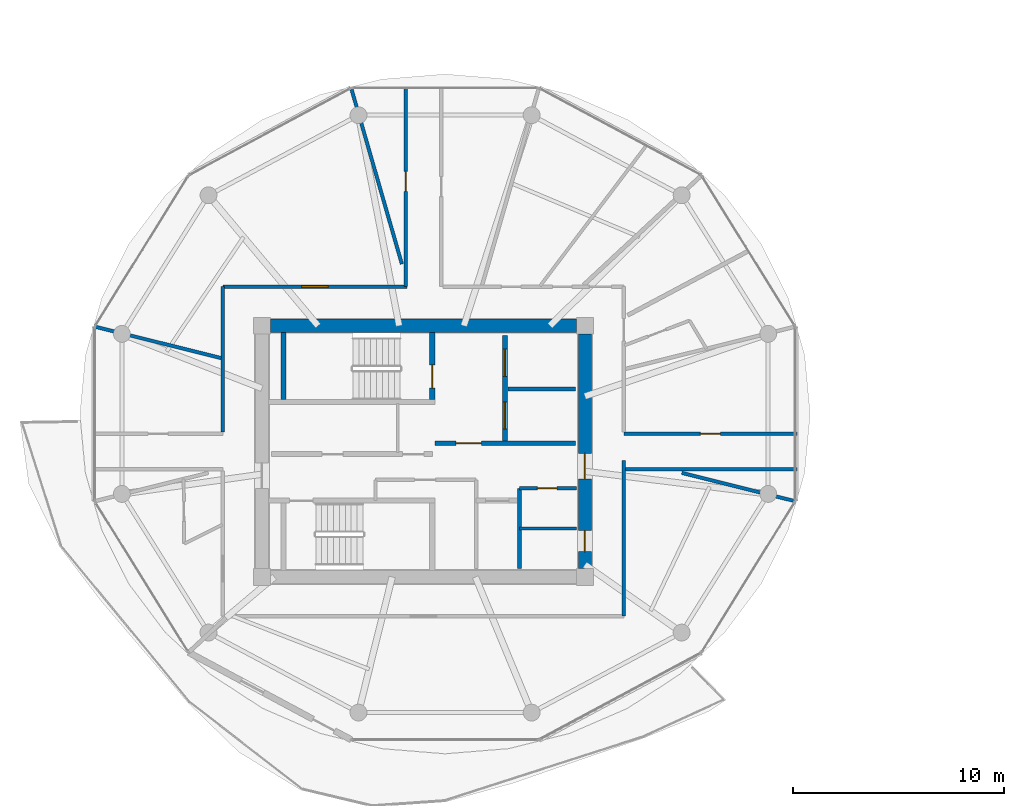
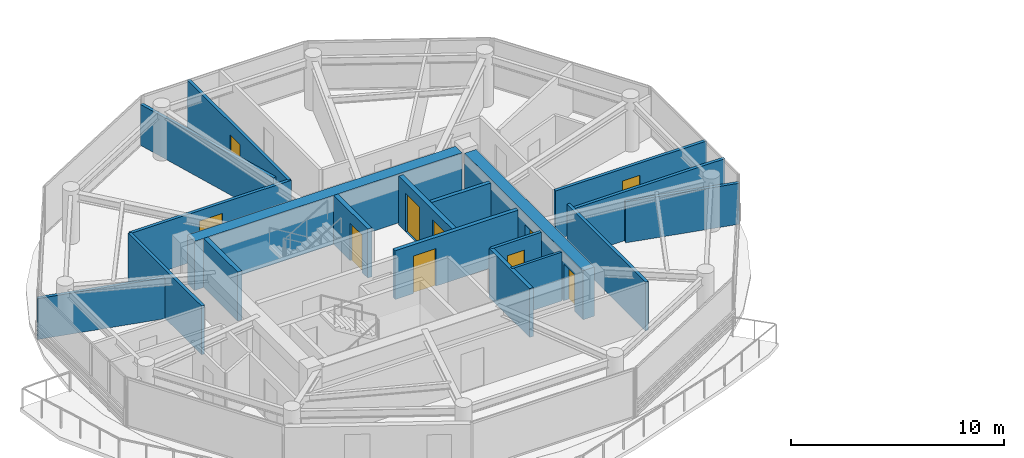
# One storey, part 13 of 22: 19 walls, 10 doors, 10 openings.
"""IFC4 building model written with IfcOpenShell, lengths in metres."""

from ifc_helpers import new_model, si_unit, direction, frame, frame_2d, origin, place, context, subcontext, project, spatial, rectangle, extrude, source, transform, mapped, material, layer, layer_set, type_object, type_shapes, element, fill, save


model = new_model("IFC4")

# Units and contexts
model_context = context("Model", 3, precision=1e-05, world=origin(), true_north=direction((0.0, 1.0)))
body_context = subcontext(model_context, "Body", "Model", "MODEL_VIEW")
ifc_project = project(units=[si_unit("LENGTHUNIT", "METRE"), si_unit("AREAUNIT", "SQUARE_METRE"), si_unit("VOLUMEUNIT", "CUBIC_METRE"), si_unit("PLANEANGLEUNIT", "RADIAN"), si_unit("MASSUNIT", "GRAM", prefix="KILO")], contexts=[model_context])

# Site, building, storey
site_placement = place(None, origin())
site = spatial("IfcSite", under=ifc_project, at=site_placement, CompositionType="ELEMENT")
building_placement = place(site_placement, origin())
building = spatial("IfcBuilding", under=site, at=building_placement, Name="Norrkilde Senior Care Towers", CompositionType="ELEMENT")
storey_placement = place(building_placement, frame((0.0, 0.0, 170.89990234375)))
storey = spatial("IfcBuildingStorey", under=building, at=storey_placement, Name="L53", CompositionType="ELEMENT", Elevation=170.89990234375)

# Wall
ifc_material_1 = material(Name="Concrete C50/60", Category="concrete")
ifc_layer_1 = layer(ifc_material_1, 0.6201171875)
ifc_layer_set_1 = layer_set([ifc_layer_1], Name="Concrete C50/60")
wall_type_1 = type_object("IfcWallType", Name="Core Shear Wall Z3 620", PredefinedType="SHEAR", material=ifc_layer_set_1)
shared_shape_1 = source(origin(), body_context, "Body", "SweptSolid", [
    extrude(rectangle(XDim=14.5, YDim=0.6201171875, at=frame_2d((7.25, 0.0))), origin(), (0.0, 0.0, 1.0), 2.81005859375),
])
wall_1_placement = place(storey_placement, frame((-35.25, 5.949951171875, 0.0), z_axis=(0.0, 0.0, 1.0), x_axis=(1.0, 0.0, 0.0)))
element("IfcWall", 1, at=wall_1_placement, inside=storey, type_object=wall_type_1, Name="L53 Core W North Shear Wall", PredefinedType="SHEAR", context=body_context, shape_type="MappedRepresentation", body=[
    mapped(shared_shape_1, transform((0.0, 0.0, 0.0), x_axis=(1.0, 0.0, 0.0), y_axis=(0.0, 1.0, 0.0), z_axis=(0.0, 0.0, 1.0), scale=1.0)),
])

# Wall, openings, doors
shared_shape_2 = source(origin(), body_context, "Body", "SweptSolid", [
    extrude(rectangle(XDim=11.10009765625, YDim=0.6201171875, at=frame_2d((5.550048828125, 0.0))), origin(), (0.0, 0.0, 1.0), 2.81005859375),
])
type_shapes(wall_type_1, [shared_shape_1, shared_shape_2])
wall_2_placement = place(storey_placement, frame((-20.35009765625, 5.550048828125, 0.0), z_axis=(0.0, 0.0, 1.0), x_axis=(0.0, -1.0, 0.0)))
wall_2 = element("IfcWall", 2, at=wall_2_placement, inside=storey, type_object=wall_type_1, Name="L53 Core W East Shear Wall", PredefinedType="SHEAR", context=body_context, shape_type="MappedRepresentation", body=[
    mapped(shared_shape_2, transform((0.0, 0.0, 0.0), x_axis=(1.0, 0.0, 0.0), y_axis=(0.0, 1.0, 0.0), z_axis=(0.0, 0.0, 1.0), scale=1.0)),
])
opening_1_placement = place(wall_2_placement, frame((5.64990234375, 0.0, 0.0)))
opening_1 = element("IfcOpeningElement", 3, at=opening_1_placement, cuts=wall_2, Name="Opening D-04", PredefinedType="OPENING", context=body_context, shape_type="SweptSolid", body=[
    extrude(rectangle(XDim=1.199951171875, YDim=2.14990234375, at=frame_2d((0.60009765625, 1.074951171875))), frame((0.0, 0.320068359375, 0.0), z_axis=(0.0, -1.0, 0.0), x_axis=(1.0, 0.0, 0.0)), (0.0, 0.0, 1.0), 0.64013671875),
])
opening_2_placement = place(wall_2_placement, frame((9.300048828125, 0.0, 0.0)))
opening_2 = element("IfcOpeningElement", 4, at=opening_2_placement, cuts=wall_2, Name="Opening D-10", PredefinedType="OPENING", context=body_context, shape_type="SweptSolid", body=[
    extrude(rectangle(XDim=1.0, YDim=2.10009765625, at=frame_2d((0.5, 1.050048828125))), frame((0.0, 0.320068359375, 0.0), z_axis=(0.0, -1.0, 0.0), x_axis=(1.0, 0.0, 0.0)), (0.0, 0.0, 1.0), 0.64013671875),
])
ifc_material_2 = material(Name="Galvanised Painted Steel", Category="steel")
door_type_1 = type_object("IfcDoorType", Name="Firefighting Lobby Fire Door 1200x2150", OperationType="NOTDEFINED", PredefinedType="DOOR", material=ifc_material_2)
shared_shape_3 = source(origin(), body_context, "Body", "SweptSolid", [
    extrude(rectangle(XDim=1.199951171875, YDim=2.14990234375, at=frame_2d((0.60009765625, 1.074951171875))), frame((0.0, 0.02490234375, 0.0), z_axis=(0.0, -1.0, 0.0), x_axis=(1.0, 0.0, 0.0)), (0.0, 0.0, 1.0), 0.050048828125),
])
type_shapes(door_type_1, [shared_shape_3])
door_1_placement = place(opening_1_placement, frame((1.199951171875, 0.0, 0.0), z_axis=(0.0, 0.0, 1.0), x_axis=(-1.0, 0.0, 0.0)))
door_1 = element("IfcDoor", 5, at=door_1_placement, inside=storey, type_object=door_type_1, Name="L53 Core W East Portal Door", OperationType="SINGLE_SWING_RIGHT", OverallHeight=2.14990234375, OverallWidth=1.199951171875, PredefinedType="DOOR", context=body_context, shape_type="MappedRepresentation", body=[
    mapped(shared_shape_3, transform((0.0, 0.0, 0.0), x_axis=(1.0, 0.0, 0.0), y_axis=(0.0, 1.0, 0.0), z_axis=(0.0, 0.0, 1.0), scale=1.0)),
])
fill(opening_1, door_1)
door_type_2 = type_object("IfcDoorType", Name="Plant and Riser Rated Door 1000x2100", OperationType="NOTDEFINED", PredefinedType="DOOR", material=ifc_material_2)
shared_shape_4 = source(origin(), body_context, "Body", "SweptSolid", [
    extrude(rectangle(XDim=1.0, YDim=2.10009765625, at=frame_2d((0.5, 1.050048828125))), frame((0.0, 0.02490234375, 0.0), z_axis=(0.0, -1.0, 0.0), x_axis=(1.0, 0.0, 0.0)), (0.0, 0.0, 1.0), 0.050048828125),
])
type_shapes(door_type_2, [shared_shape_4])
door_2_placement = place(opening_2_placement, frame((1.0, 0.0, 0.0), z_axis=(0.0, 0.0, 1.0), x_axis=(-1.0, 0.0, 0.0)))
door_2 = element("IfcDoor", 6, at=door_2_placement, inside=storey, type_object=door_type_2, Name="L53 Ventilation Riser W Door", OperationType="SINGLE_SWING_RIGHT", OverallHeight=2.10009765625, OverallWidth=1.0, PredefinedType="DOOR", context=body_context, shape_type="MappedRepresentation", body=[
    mapped(shared_shape_4, transform((0.0, 0.0, 0.0), x_axis=(1.0, 0.0, 0.0), y_axis=(0.0, 1.0, 0.0), z_axis=(0.0, 0.0, 1.0), scale=1.0)),
])
fill(opening_2, door_2)

# Wall
ifc_material_3 = material(Name="Concrete C45/55", Category="concrete")
ifc_layer_2 = layer(ifc_material_3, 0.239990234375)
ifc_layer_set_2 = layer_set([ifc_layer_2], Name="Concrete C45/55")
wall_type_2 = type_object("IfcWallType", Name="Shaft and Stair Enclosure Wall 240", PredefinedType="PARTITIONING", material=ifc_layer_set_2)
shared_shape_5 = source(origin(), body_context, "Body", "SweptSolid", [
    extrude(rectangle(XDim=3.18994140625, YDim=0.239990234375, at=frame_2d((1.594970703125, 0.0))), origin(), (0.0, 0.0, 1.0), 2.81005859375),
])
type_shapes(wall_type_2, [shared_shape_5])
wall_3_placement = place(storey_placement, frame((-34.6201171875, 2.449951171875, 0.0), z_axis=(0.0, 0.0, 1.0), x_axis=(0.0, 1.0, 0.0)))
element("IfcWall", 7, at=wall_3_placement, inside=storey, type_object=wall_type_2, Name="WL-INT-L53-W-ST1W", PredefinedType="PARTITIONING", context=body_context, shape_type="MappedRepresentation", body=[
    mapped(shared_shape_5, transform((0.0, 0.0, 0.0), x_axis=(1.0, 0.0, 0.0), y_axis=(0.0, 1.0, 0.0), z_axis=(0.0, 0.0, 1.0), scale=1.0)),
])

# Wall, opening, door
wall_4_placement = place(storey_placement, frame((-27.580078125, 2.449951171875, 0.0), z_axis=(0.0, 0.0, 1.0), x_axis=(0.0, 1.0, 0.0)))
wall_4 = element("IfcWall", 8, at=wall_4_placement, inside=storey, type_object=wall_type_2, Name="WL-INT-L53-W-ST1E", PredefinedType="PARTITIONING", context=body_context, shape_type="MappedRepresentation", body=[
    mapped(shared_shape_5, transform((0.0, 0.0, 0.0), x_axis=(1.0, 0.0, 0.0), y_axis=(0.0, 1.0, 0.0), z_axis=(0.0, 0.0, 1.0), scale=1.0)),
])
opening_3_placement = place(wall_4_placement, frame((0.550048828125, 0.0, 0.0)))
opening_3 = element("IfcOpeningElement", 9, at=opening_3_placement, cuts=wall_4, Name="Opening D-03", PredefinedType="OPENING", context=body_context, shape_type="SweptSolid", body=[
    extrude(rectangle(XDim=1.10009765625, YDim=2.14990234375, at=frame_2d((0.550048828125, 1.074951171875))), frame((0.0, 0.1298828125, 0.0), z_axis=(0.0, -1.0, 0.0), x_axis=(1.0, 0.0, 0.0)), (0.0, 0.0, 1.0), 0.260009765625),
])
door_type_3 = type_object("IfcDoorType", Name="Stairwell Protected Fire Door 1100x2150", OperationType="NOTDEFINED", PredefinedType="DOOR", material=ifc_material_2)
shared_shape_6 = source(origin(), body_context, "Body", "SweptSolid", [
    extrude(rectangle(XDim=1.10009765625, YDim=2.14990234375, at=frame_2d((0.550048828125, 1.074951171875))), frame((0.0, 0.02490234375, 0.0), z_axis=(0.0, -1.0, 0.0), x_axis=(1.0, 0.0, 0.0)), (0.0, 0.0, 1.0), 0.050048828125),
])
type_shapes(door_type_3, [shared_shape_6])
door_3_placement = place(opening_3_placement, origin())
door_3 = element("IfcDoor", 10, at=door_3_placement, inside=storey, type_object=door_type_3, Name="L53 Stair W1 Fire Door", OperationType="SINGLE_SWING_LEFT", OverallHeight=2.14990234375, OverallWidth=1.10009765625, PredefinedType="DOOR", context=body_context, shape_type="MappedRepresentation", body=[
    mapped(shared_shape_6, transform((0.0, 0.0, 0.0), x_axis=(1.0, 0.0, 0.0), y_axis=(0.0, 1.0, 0.0), z_axis=(0.0, 0.0, 1.0), scale=1.0)),
])
fill(opening_3, door_3)

# Wall, openings, doors
ifc_layer_3 = layer(ifc_material_3, 0.239990234375)
ifc_layer_set_3 = layer_set([ifc_layer_3], Name="Concrete C45/55")
wall_type_3 = type_object("IfcWallType", Name="Lift and Plant Rated Enclosure Partition 240", PredefinedType="PARTITIONING", material=ifc_layer_set_3)
shared_shape_7 = source(origin(), body_context, "Body", "SweptSolid", [
    extrude(rectangle(XDim=5.0, YDim=0.239990234375, at=frame_2d((2.5, 0.0))), origin(), (0.0, 0.0, 1.0), 2.795166015625),
])
type_shapes(wall_type_3, [shared_shape_7])
wall_5_placement = place(storey_placement, frame((-24.139892578125, 0.5, 0.0), z_axis=(0.0, 0.0, 1.0), x_axis=(0.0, 1.0, 0.0)))
wall_5 = element("IfcWall", 11, at=wall_5_placement, inside=storey, type_object=wall_type_3, Name="WL-INT-L53-W-FFLE", PredefinedType="PARTITIONING", context=body_context, shape_type="MappedRepresentation", body=[
    mapped(shared_shape_7, transform((0.0, 0.0, 0.0), x_axis=(1.0, 0.0, 0.0), y_axis=(0.0, 1.0, 0.0), z_axis=(0.0, 0.0, 1.0), scale=1.0)),
])
opening_4_placement = place(wall_5_placement, frame((3.050048828125, 0.0, 0.0)))
opening_4 = element("IfcOpeningElement", 12, at=opening_4_placement, cuts=wall_5, Name="Opening LD-02", PredefinedType="OPENING", context=body_context, shape_type="SweptSolid", body=[
    extrude(rectangle(XDim=1.300048828125, YDim=2.199951171875, at=frame_2d((0.64990234375, 1.10009765625))), frame((0.0, 0.1298828125, 0.0), z_axis=(0.0, -1.0, 0.0), x_axis=(1.0, 0.0, 0.0)), (0.0, 0.0, 1.0), 0.260009765625),
])
opening_5_placement = place(wall_5_placement, frame((0.550048828125, 0.0, 0.0)))
opening_5 = element("IfcOpeningElement", 13, at=opening_5_placement, cuts=wall_5, Name="Opening LD-02", PredefinedType="OPENING", context=body_context, shape_type="SweptSolid", body=[
    extrude(rectangle(XDim=1.300048828125, YDim=2.199951171875, at=frame_2d((0.64990234375, 1.10009765625))), frame((0.0, 0.1298828125, 0.0), z_axis=(0.0, -1.0, 0.0), x_axis=(1.0, 0.0, 0.0)), (0.0, 0.0, 1.0), 0.260009765625),
])
ifc_material_4 = material(Name="Stainless Steel", Category="steel")
door_type_4 = type_object("IfcDoorType", Name="Stretcher and FFL Landing Sliding Door 1300x2200", OperationType="NOTDEFINED", PredefinedType="DOOR", material=ifc_material_4)
shared_shape_8 = source(origin(), body_context, "Body", "SweptSolid", [
    extrude(rectangle(XDim=1.300048828125, YDim=2.199951171875, at=frame_2d((0.64990234375, 1.10009765625))), frame((0.0, 0.02490234375, 0.0), z_axis=(0.0, -1.0, 0.0), x_axis=(1.0, 0.0, 0.0)), (0.0, 0.0, 1.0), 0.050048828125),
])
type_shapes(door_type_4, [shared_shape_8])
door_4_placement = place(opening_4_placement, origin())
door_4 = element("IfcDoor", 14, at=door_4_placement, inside=storey, type_object=door_type_4, Name="L53 Firefighting Lift W1 Landing Door", OperationType="SLIDING_TO_LEFT", OverallHeight=2.199951171875, OverallWidth=1.300048828125, PredefinedType="DOOR", context=body_context, shape_type="MappedRepresentation", body=[
    mapped(shared_shape_8, transform((0.0, 0.0, 0.0), x_axis=(1.0, 0.0, 0.0), y_axis=(0.0, 1.0, 0.0), z_axis=(0.0, 0.0, 1.0), scale=1.0)),
])
fill(opening_4, door_4)
door_5_placement = place(opening_5_placement, origin())
door_5 = element("IfcDoor", 15, at=door_5_placement, inside=storey, type_object=door_type_4, Name="L53 Stretcher Lift W1 Landing Door", OperationType="SLIDING_TO_RIGHT", OverallHeight=2.199951171875, OverallWidth=1.300048828125, PredefinedType="DOOR", context=body_context, shape_type="MappedRepresentation", body=[
    mapped(shared_shape_8, transform((0.0, 0.0, 0.0), x_axis=(1.0, 0.0, 0.0), y_axis=(0.0, 1.0, 0.0), z_axis=(0.0, 0.0, 1.0), scale=1.0)),
])
fill(opening_5, door_5)

# Wall
ifc_layer_4 = layer(ifc_material_3, 0.199951171875)
ifc_layer_set_4 = layer_set([ifc_layer_4], Name="Concrete C45/55")
wall_type_4 = type_object("IfcWallType", Name="Shaft Division and Plant Partition 200", PredefinedType="PARTITIONING", material=ifc_layer_set_4)
shared_shape_9 = source(origin(), body_context, "Body", "SweptSolid", [
    extrude(rectangle(XDim=3.199951171875, YDim=0.199951171875, at=frame_2d((1.60009765625, 0.0))), origin(), (0.0, 0.0, 1.0), 2.795166015625),
])
wall_6_placement = place(storey_placement, frame((-24.0, 2.949951171875, 0.0), z_axis=(0.0, 0.0, 1.0), x_axis=(1.0, 0.0, 0.0)))
element("IfcWall", 16, at=wall_6_placement, inside=storey, type_object=wall_type_4, Name="WL-INT-L53-W-FFLDIV", PredefinedType="PARTITIONING", context=body_context, shape_type="MappedRepresentation", body=[
    mapped(shared_shape_9, transform((0.0, 0.0, 0.0), x_axis=(1.0, 0.0, 0.0), y_axis=(0.0, 1.0, 0.0), z_axis=(0.0, 0.0, 1.0), scale=1.0)),
])

# Wall, opening, door
ifc_layer_5 = layer(ifc_material_3, 0.2099609375)
ifc_layer_set_5 = layer_set([ifc_layer_5], Name="Concrete C45/55")
wall_type_5 = type_object("IfcWallType", Name="Firefighting Lobby Wall 210", PredefinedType="PARTITIONING", material=ifc_layer_set_5)
shared_shape_10 = source(origin(), body_context, "Body", "SweptSolid", [
    extrude(rectangle(XDim=6.659912109375, YDim=0.2099609375, at=frame_2d((3.330078125, 0.0))), origin(), (0.0, 0.0, 1.0), 2.795166015625),
])
type_shapes(wall_type_5, [shared_shape_10])
wall_7_placement = place(storey_placement, frame((-27.4599609375, 0.389892578125, 0.0), z_axis=(0.0, 0.0, 1.0), x_axis=(1.0, 0.0, 0.0)))
wall_7 = element("IfcWall", 17, at=wall_7_placement, inside=storey, type_object=wall_type_5, Name="WL-INT-L53-W-FFLS", PredefinedType="PARTITIONING", context=body_context, shape_type="MappedRepresentation", body=[
    mapped(shared_shape_10, transform((0.0, 0.0, 0.0), x_axis=(1.0, 0.0, 0.0), y_axis=(0.0, 1.0, 0.0), z_axis=(0.0, 0.0, 1.0), scale=1.0)),
])
opening_6_placement = place(wall_7_placement, frame((1.0, 0.0, 0.0)))
opening_6 = element("IfcOpeningElement", 18, at=opening_6_placement, cuts=wall_7, Name="Opening D-04", PredefinedType="OPENING", context=body_context, shape_type="SweptSolid", body=[
    extrude(rectangle(XDim=1.199951171875, YDim=2.14990234375, at=frame_2d((0.60009765625, 1.074951171875))), frame((0.0, 0.114990234375, 0.0), z_axis=(0.0, -1.0, 0.0), x_axis=(1.0, 0.0, 0.0)), (0.0, 0.0, 1.0), 0.22998046875),
])
door_6_placement = place(opening_6_placement, frame((1.199951171875, 0.0, 0.0), z_axis=(0.0, 0.0, 1.0), x_axis=(-1.0, 0.0, 0.0)))
door_6 = element("IfcDoor", 19, at=door_6_placement, inside=storey, type_object=door_type_1, Name="L53 Firefighting Lobby W Door", OperationType="SINGLE_SWING_LEFT", OverallHeight=2.14990234375, OverallWidth=1.199951171875, PredefinedType="DOOR", context=body_context, shape_type="MappedRepresentation", body=[
    mapped(shared_shape_3, transform((0.0, 0.0, 0.0), x_axis=(1.0, 0.0, 0.0), y_axis=(0.0, 1.0, 0.0), z_axis=(0.0, 0.0, 1.0), scale=1.0)),
])
fill(opening_6, door_6)

# Wall
shared_shape_11 = source(origin(), body_context, "Body", "SweptSolid", [
    extrude(rectangle(XDim=3.800048828125, YDim=0.199951171875, at=frame_2d((1.89990234375, 0.0))), origin(), (0.0, 0.0, 1.0), 2.795166015625),
])
type_shapes(wall_type_4, [shared_shape_9, shared_shape_11])
wall_8_placement = place(storey_placement, frame((-23.449951171875, -5.550048828125, 0.0), z_axis=(0.0, 0.0, 1.0), x_axis=(0.0, 1.0, 0.0)))
element("IfcWall", 20, at=wall_8_placement, inside=storey, type_object=wall_type_4, Name="WL-INT-L53-W-PKBE", PredefinedType="PARTITIONING", context=body_context, shape_type="MappedRepresentation", body=[
    mapped(shared_shape_11, transform((0.0, 0.0, 0.0), x_axis=(1.0, 0.0, 0.0), y_axis=(0.0, 1.0, 0.0), z_axis=(0.0, 0.0, 1.0), scale=1.0)),
])

# Wall, opening, door
ifc_material_5 = material(Name="Gypsum Acoustic Board")
ifc_layer_6 = layer(ifc_material_5, 0.1650390625)
ifc_layer_set_6 = layer_set([ifc_layer_6], Name="Gypsum Acoustic Board")
wall_type_6 = type_object("IfcWallType", Name="Corridor Rated Partition 165", PredefinedType="PARTITIONING", material=ifc_layer_set_6)
shared_shape_12 = source(origin(), body_context, "Body", "SweptSolid", [
    extrude(rectangle(XDim=2.699951171875, YDim=0.1650390625, at=frame_2d((1.35009765625, 0.0))), origin(), (0.0, 0.0, 1.0), 2.795166015625),
])
wall_9_placement = place(storey_placement, frame((-23.449951171875, -1.75, 0.0), z_axis=(0.0, 0.0, 1.0), x_axis=(1.0, 0.0, 0.0)))
wall_9 = element("IfcWall", 21, at=wall_9_placement, inside=storey, type_object=wall_type_6, Name="WL-INT-L53-W-CSN", PredefinedType="PARTITIONING", context=body_context, shape_type="MappedRepresentation", body=[
    mapped(shared_shape_12, transform((0.0, 0.0, 0.0), x_axis=(1.0, 0.0, 0.0), y_axis=(0.0, 1.0, 0.0), z_axis=(0.0, 0.0, 1.0), scale=1.0)),
])
opening_7_placement = place(wall_9_placement, frame((0.85009765625, 0.0, 0.0)))
opening_7 = element("IfcOpeningElement", 22, at=opening_7_placement, cuts=wall_9, Name="Opening D-12", PredefinedType="OPENING", context=body_context, shape_type="SweptSolid", body=[
    extrude(rectangle(XDim=0.925048828125, YDim=2.10009765625, at=frame_2d((0.46240234375, 1.050048828125))), frame((0.0, 0.092529296875, 0.0), z_axis=(0.0, -1.0, 0.0), x_axis=(1.0, 0.0, 0.0)), (0.0, 0.0, 1.0), 0.18505859375),
])
door_type_5 = type_object("IfcDoorType", Name="Core Wet Room Rated Door 925x2100", OperationType="NOTDEFINED", PredefinedType="DOOR", material=ifc_material_2)
shared_shape_13 = source(origin(), body_context, "Body", "SweptSolid", [
    extrude(rectangle(XDim=0.925048828125, YDim=2.10009765625, at=frame_2d((0.46240234375, 1.050048828125))), frame((0.0, 0.02490234375, 0.0), z_axis=(0.0, -1.0, 0.0), x_axis=(1.0, 0.0, 0.0)), (0.0, 0.0, 1.0), 0.050048828125),
])
type_shapes(door_type_5, [shared_shape_13])
door_7_placement = place(opening_7_placement, origin())
door_7 = element("IfcDoor", 23, at=door_7_placement, inside=storey, type_object=door_type_5, Name="L53 Staff WC W Door", OperationType="SINGLE_SWING_LEFT", OverallHeight=2.10009765625, OverallWidth=0.925048828125, PredefinedType="DOOR", context=body_context, shape_type="MappedRepresentation", body=[
    mapped(shared_shape_13, transform((0.0, 0.0, 0.0), x_axis=(1.0, 0.0, 0.0), y_axis=(0.0, 1.0, 0.0), z_axis=(0.0, 0.0, 1.0), scale=1.0)),
])
fill(opening_7, door_7)

shared_shape_14 = source(origin(), body_context, "Body", "SweptSolid", [
    extrude(rectangle(XDim=8.719482421875, YDim=0.1650390625, at=frame_2d((4.35986328125, 0.0))), origin(), (0.0, 0.0, 1.0), 2.795166015625),
])
wall_10_placement = place(storey_placement, frame((-37.5, 7.800048828125, 0.0), z_axis=(0.0, 0.0, 1.0), x_axis=(1.0, 0.0, 0.0)))
wall_10 = element("IfcWall", 24, at=wall_10_placement, inside=storey, type_object=wall_type_6, Name="WL-INT-L53-W-CRW-N-0", PredefinedType="PARTITIONING", context=body_context, shape_type="MappedRepresentation", body=[
    mapped(shared_shape_14, transform((0.0, 0.0, 0.0), x_axis=(1.0, 0.0, 0.0), y_axis=(0.0, 1.0, 0.0), z_axis=(0.0, 0.0, 1.0), scale=1.0)),
])
opening_8_placement = place(wall_10_placement, frame((3.73486328125, 0.0, 0.0)))
opening_8 = element("IfcOpeningElement", 25, at=opening_8_placement, cuts=wall_10, Name="Opening D-05", PredefinedType="OPENING", context=body_context, shape_type="SweptSolid", body=[
    extrude(rectangle(XDim=1.25, YDim=2.199951171875, at=frame_2d((0.625, 1.10009765625))), frame((0.0, 0.092529296875, 0.0), z_axis=(0.0, -1.0, 0.0), x_axis=(1.0, 0.0, 0.0)), (0.0, 0.0, 1.0), 0.18505859375),
])
ifc_material_6 = material(Name="Nordic Ash Timber", Category="wood")
door_type_6 = type_object("IfcDoorType", Name="Care Bedroom Bariatric Door 1250x2200", OperationType="NOTDEFINED", PredefinedType="DOOR", material=ifc_material_6)
shared_shape_15 = source(origin(), body_context, "Body", "SweptSolid", [
    extrude(rectangle(XDim=1.25, YDim=2.199951171875, at=frame_2d((0.625, 1.10009765625))), frame((0.0, 0.02490234375, 0.0), z_axis=(0.0, -1.0, 0.0), x_axis=(1.0, 0.0, 0.0)), (0.0, 0.0, 1.0), 0.050048828125),
])
type_shapes(door_type_6, [shared_shape_15])
door_8_placement = place(opening_8_placement, frame((1.25, 0.0, 0.0), z_axis=(0.0, 0.0, 1.0), x_axis=(-1.0, 0.0, 0.0)))
door_8 = element("IfcDoor", 26, at=door_8_placement, inside=storey, type_object=door_type_6, Name="L53 Geriatric Rehabilitation Clinic Door", OperationType="SINGLE_SWING_RIGHT", OverallHeight=2.199951171875, OverallWidth=1.25, PredefinedType="DOOR", context=body_context, shape_type="MappedRepresentation", body=[
    mapped(shared_shape_15, transform((0.0, 0.0, 0.0), x_axis=(1.0, 0.0, 0.0), y_axis=(0.0, 1.0, 0.0), z_axis=(0.0, 0.0, 1.0), scale=1.0)),
])
fill(opening_8, door_8)

# Walls
shared_shape_16 = source(origin(), body_context, "Body", "SweptSolid", [
    extrude(rectangle(XDim=6.880126953125, YDim=0.1650390625, at=frame_2d((3.43994140625, 0.0))), origin(), (0.0, 0.0, 1.0), 2.795166015625),
])
wall_11_placement = place(storey_placement, frame((-37.5, 0.919921875, 0.0), z_axis=(0.0, 0.0, 1.0), x_axis=(0.0, 1.0, 0.0)))
element("IfcWall", 27, at=wall_11_placement, inside=storey, type_object=wall_type_6, Name="WL-INT-L53-W-CRW-W-1", PredefinedType="PARTITIONING", context=body_context, shape_type="MappedRepresentation", body=[
    mapped(shared_shape_16, transform((0.0, 0.0, 0.0), x_axis=(1.0, 0.0, 0.0), y_axis=(0.0, 1.0, 0.0), z_axis=(0.0, 0.0, 1.0), scale=1.0)),
])
shared_shape_17 = source(origin(), body_context, "Body", "SweptSolid", [
    extrude(rectangle(XDim=7.364501953125, YDim=0.1650390625, at=frame_2d((3.68212890625, 0.0))), origin(), (0.0, 0.0, 1.0), 2.795166015625),
])
wall_12_placement = place(storey_placement, frame((-18.5, -0.435546875, 0.0), z_axis=(0.0, 0.0, 1.0), x_axis=(0.0, -1.0, 0.0)))
element("IfcWall", 28, at=wall_12_placement, inside=storey, type_object=wall_type_6, Name="WL-INT-L53-W-CRW-E-1", PredefinedType="PARTITIONING", context=body_context, shape_type="MappedRepresentation", body=[
    mapped(shared_shape_17, transform((0.0, 0.0, 0.0), x_axis=(1.0, 0.0, 0.0), y_axis=(0.0, 1.0, 0.0), z_axis=(0.0, 0.0, 1.0), scale=1.0)),
])

# Wall, opening, door
shared_shape_18 = source(origin(), body_context, "Body", "SweptSolid", [
    extrude(rectangle(XDim=9.480224609375, YDim=0.1650390625, at=frame_2d((4.740234375, 0.0))), origin(), (0.0, 0.0, 1.0), 2.795166015625),
])
wall_13_placement = place(storey_placement, frame((-28.840087890625, 7.800048828125, 0.0), z_axis=(0.0, 0.0, 1.0), x_axis=(0.0, 1.0, 0.0)))
wall_13 = element("IfcWall", 29, at=wall_13_placement, inside=storey, type_object=wall_type_6, Name="WL-INT-L53-W-SPK-N1-0", PredefinedType="PARTITIONING", context=body_context, shape_type="MappedRepresentation", body=[
    mapped(shared_shape_18, transform((0.0, 0.0, 0.0), x_axis=(1.0, 0.0, 0.0), y_axis=(0.0, 1.0, 0.0), z_axis=(0.0, 0.0, 1.0), scale=1.0)),
])
opening_9_placement = place(wall_13_placement, frame((4.5205078125, 0.0, 0.0)))
opening_9 = element("IfcOpeningElement", 30, at=opening_9_placement, cuts=wall_13, Name="Opening D-07", PredefinedType="OPENING", context=body_context, shape_type="SweptSolid", body=[
    extrude(rectangle(XDim=0.949951171875, YDim=2.10009765625, at=frame_2d((0.47509765625, 1.050048828125))), frame((0.0, 0.092529296875, 0.0), z_axis=(0.0, -1.0, 0.0), x_axis=(1.0, 0.0, 0.0)), (0.0, 0.0, 1.0), 0.18505859375),
])
door_type_7 = type_object("IfcDoorType", Name="Internal Suite Bedroom Door 950x2100", OperationType="NOTDEFINED", PredefinedType="DOOR", material=ifc_material_6)
shared_shape_19 = source(origin(), body_context, "Body", "SweptSolid", [
    extrude(rectangle(XDim=0.949951171875, YDim=2.10009765625, at=frame_2d((0.47509765625, 1.050048828125))), frame((0.0, 0.02490234375, 0.0), z_axis=(0.0, -1.0, 0.0), x_axis=(1.0, 0.0, 0.0)), (0.0, 0.0, 1.0), 0.050048828125),
])
type_shapes(door_type_7, [shared_shape_19])
door_9_placement = place(opening_9_placement, frame((0.949951171875, 0.0, 0.0), z_axis=(0.0, 0.0, 1.0), x_axis=(-1.0, 0.0, 0.0)))
door_9 = element("IfcDoor", 31, at=door_9_placement, inside=storey, type_object=door_type_7, Name="L53 Sun Reading Lounge 3 Door", OperationType="SINGLE_SWING_RIGHT", OverallHeight=2.10009765625, OverallWidth=0.949951171875, PredefinedType="DOOR", context=body_context, shape_type="MappedRepresentation", body=[
    mapped(shared_shape_19, transform((0.0, 0.0, 0.0), x_axis=(1.0, 0.0, 0.0), y_axis=(0.0, 1.0, 0.0), z_axis=(0.0, 0.0, 1.0), scale=1.0)),
])
fill(opening_9, door_9)

shared_shape_20 = source(origin(), body_context, "Body", "SweptSolid", [
    extrude(rectangle(XDim=8.18896484375, YDim=0.1650390625, at=frame_2d((4.094482421875, 0.0))), origin(), (0.0, 0.0, 1.0), 2.795166015625),
])
wall_14_placement = place(storey_placement, frame((-18.5, 0.840087890625, 0.0), z_axis=(0.0, 0.0, 1.0), x_axis=(1.0, 0.0, 0.0)))
wall_14 = element("IfcWall", 32, at=wall_14_placement, inside=storey, type_object=wall_type_6, Name="WL-INT-L53-W-SPK-E1-0", PredefinedType="PARTITIONING", context=body_context, shape_type="MappedRepresentation", body=[
    mapped(shared_shape_20, transform((0.0, 0.0, 0.0), x_axis=(1.0, 0.0, 0.0), y_axis=(0.0, 1.0, 0.0), z_axis=(0.0, 0.0, 1.0), scale=1.0)),
])
opening_10_placement = place(wall_14_placement, frame((3.619384765625, 0.0, 0.0)))
opening_10 = element("IfcOpeningElement", 33, at=opening_10_placement, cuts=wall_14, Name="Opening D-07", PredefinedType="OPENING", context=body_context, shape_type="SweptSolid", body=[
    extrude(rectangle(XDim=0.949951171875, YDim=2.10009765625, at=frame_2d((0.47509765625, 1.050048828125))), frame((0.0, 0.092529296875, 0.0), z_axis=(0.0, -1.0, 0.0), x_axis=(1.0, 0.0, 0.0)), (0.0, 0.0, 1.0), 0.18505859375),
])
door_10_placement = place(opening_10_placement, frame((0.949951171875, 0.0, 0.0), z_axis=(0.0, 0.0, 1.0), x_axis=(-1.0, 0.0, 0.0)))
door_10 = element("IfcDoor", 34, at=door_10_placement, inside=storey, type_object=door_type_7, Name="L53 Sun Reading Lounge 5 Door", OperationType="SINGLE_SWING_RIGHT", OverallHeight=2.10009765625, OverallWidth=0.949951171875, PredefinedType="DOOR", context=body_context, shape_type="MappedRepresentation", body=[
    mapped(shared_shape_19, transform((0.0, 0.0, 0.0), x_axis=(1.0, 0.0, 0.0), y_axis=(0.0, 1.0, 0.0), z_axis=(0.0, 0.0, 1.0), scale=1.0)),
])
fill(opening_10, door_10)

# Walls
wall_15_placement = place(storey_placement, frame((-10.31103515625, -0.840087890625, 0.0), z_axis=(0.0, 0.0, 1.0), x_axis=(-1.0, 0.0, 0.0)))
element("IfcWall", 35, at=wall_15_placement, inside=storey, type_object=wall_type_6, Name="WL-INT-L53-W-SPK-E2-0", PredefinedType="PARTITIONING", context=body_context, shape_type="MappedRepresentation", body=[
    mapped(shared_shape_20, transform((0.0, 0.0, 0.0), x_axis=(1.0, 0.0, 0.0), y_axis=(0.0, 1.0, 0.0), z_axis=(0.0, 0.0, 1.0), scale=1.0)),
])
ifc_layer_7 = layer(ifc_material_5, 0.139892578125)
ifc_layer_set_7 = layer_set([ifc_layer_7], Name="Gypsum Acoustic Board")
wall_type_7 = type_object("IfcWallType", Name="En-suite Wet Room Wall 140", PredefinedType="PARTITIONING", material=ifc_layer_set_7)
shared_shape_21 = source(origin(), body_context, "Body", "SweptSolid", [
    extrude(rectangle(XDim=2.699951171875, YDim=0.139892578125, at=frame_2d((1.35009765625, 0.0))), origin(), (0.0, 0.0, 1.0), 2.795166015625),
])
type_shapes(wall_type_7, [shared_shape_21])
wall_16_placement = place(storey_placement, frame((-23.449951171875, -3.64990234375, 0.0), z_axis=(0.0, 0.0, 1.0), x_axis=(1.0, 0.0, 0.0)))
element("IfcWall", 36, at=wall_16_placement, inside=storey, type_object=wall_type_7, Name="WL-INT-L53-W-CS2H", PredefinedType="PARTITIONING", context=body_context, shape_type="MappedRepresentation", body=[
    mapped(shared_shape_21, transform((0.0, 0.0, 0.0), x_axis=(1.0, 0.0, 0.0), y_axis=(0.0, 1.0, 0.0), z_axis=(0.0, 0.0, 1.0), scale=1.0)),
])
shared_shape_22 = source(origin(), body_context, "Body", "SweptSolid", [
    extrude(rectangle(XDim=8.695068359375, YDim=0.1650390625, at=frame_2d((4.34765625, 0.0))), origin(), (0.0, 0.0, 1.0), 2.34521484375),
])
wall_17_placement = place(storey_placement, frame((-29.02001953125, 8.875, 0.0), z_axis=(0.0, 0.0, 1.0), x_axis=(-0.276797231892, 0.960928349263, 0.0)))
element("IfcWall", 37, at=wall_17_placement, inside=storey, type_object=wall_type_6, Name="WL-INT-L53-W-DEM-03-0", PredefinedType="PARTITIONING", context=body_context, shape_type="MappedRepresentation", body=[
    mapped(shared_shape_22, transform((0.0, 0.0, 0.0), x_axis=(1.0, 0.0, 0.0), y_axis=(0.0, 1.0, 0.0), z_axis=(0.0, 0.0, 1.0), scale=1.0)),
])
shared_shape_23 = source(origin(), body_context, "Body", "SweptSolid", [
    extrude(rectangle(XDim=6.192626953125, YDim=0.1650390625, at=frame_2d((3.09619140625, 0.0))), origin(), (0.0, 0.0, 1.0), 2.34521484375),
])
wall_18_placement = place(storey_placement, frame((-37.580078125, 4.418701171875, 0.0), z_axis=(0.0, 0.0, 1.0), x_axis=(-0.970309243466, 0.241867674657, 0.0)))
element("IfcWall", 38, at=wall_18_placement, inside=storey, type_object=wall_type_6, Name="WL-INT-L53-W-DEM-05-0", PredefinedType="PARTITIONING", context=body_context, shape_type="MappedRepresentation", body=[
    mapped(shared_shape_23, transform((0.0, 0.0, 0.0), x_axis=(1.0, 0.0, 0.0), y_axis=(0.0, 1.0, 0.0), z_axis=(0.0, 0.0, 1.0), scale=1.0)),
])
shared_shape_24 = source(origin(), body_context, "Body", "SweptSolid", [
    extrude(rectangle(XDim=5.564453125, YDim=0.1650390625, at=frame_2d((2.7822265625, 0.0))), origin(), (0.0, 0.0, 1.0), 2.34521484375),
])
type_shapes(wall_type_6, [shared_shape_12, shared_shape_14, shared_shape_16, shared_shape_17, shared_shape_18, shared_shape_20, shared_shape_22, shared_shape_23, shared_shape_24])
wall_19_placement = place(storey_placement, frame((-15.76025390625, -1.02001953125, 0.0), z_axis=(0.0, 0.0, 1.0), x_axis=(0.970315176167, -0.241843872984, 0.0)))
element("IfcWall", 39, at=wall_19_placement, inside=storey, type_object=wall_type_6, Name="WL-INT-L53-W-DEM-11-0", PredefinedType="PARTITIONING", context=body_context, shape_type="MappedRepresentation", body=[
    mapped(shared_shape_24, transform((0.0, 0.0, 0.0), x_axis=(1.0, 0.0, 0.0), y_axis=(0.0, 1.0, 0.0), z_axis=(0.0, 0.0, 1.0), scale=1.0)),
])

save(model, "model.ifc")
